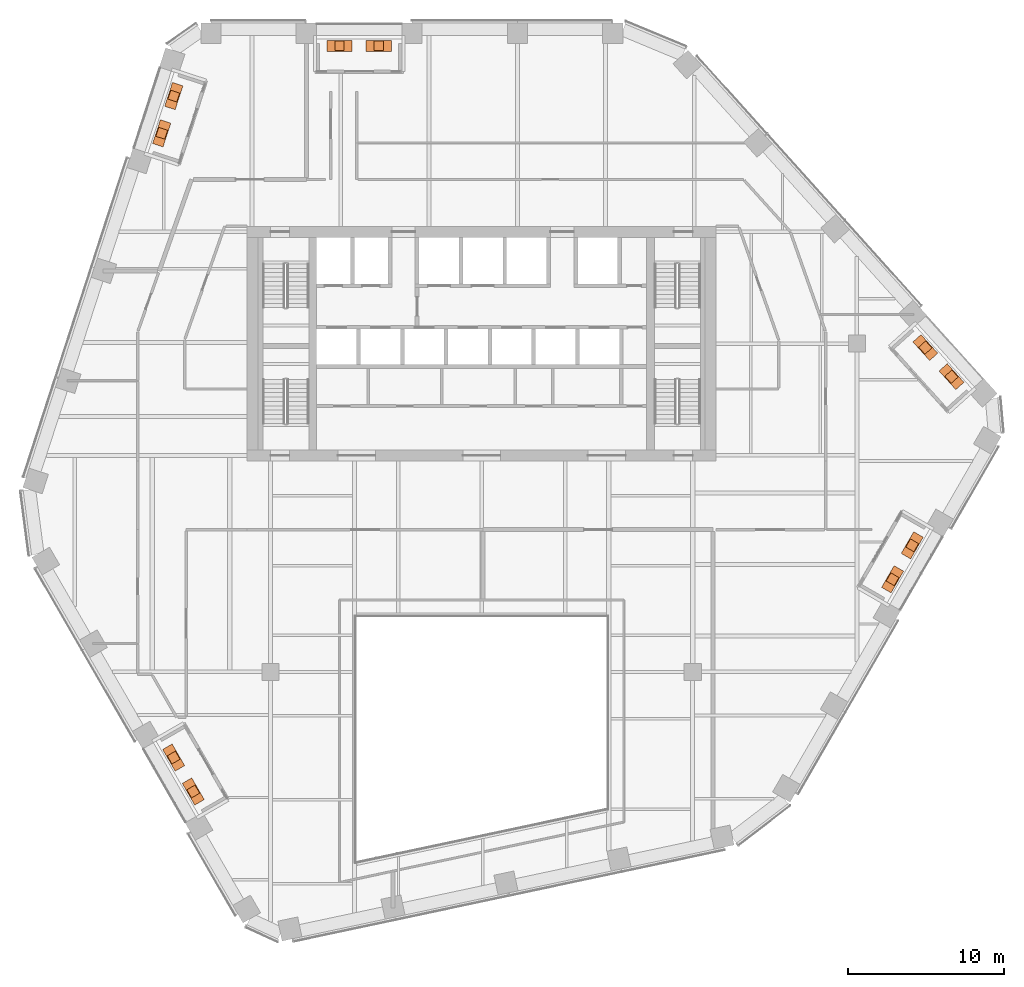
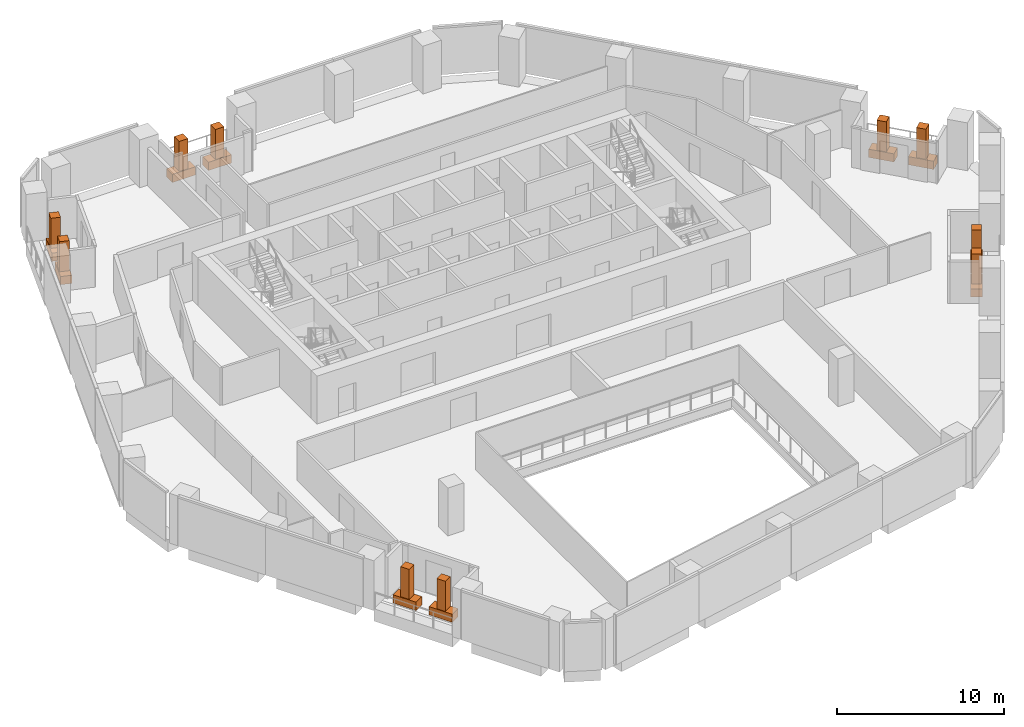
# One storey, part 26 of 26: 10 geographic elements, 10 proxies.
"""IFC4 building model written with IfcOpenShell, lengths in metres."""

from ifc_helpers import new_model, si_unit, direction, frame, origin, origin_2d, place, context, subcontext, project, spatial, rectangle, extrude, material, type_object, element, save


model = new_model("IFC4")

# Units and contexts
model_context = context("Model", 3, precision=1e-05, world=origin(), true_north=direction((0.0, 1.0)))
body_context = subcontext(model_context, "Body", "Model", "MODEL_VIEW")
ifc_project = project(units=[si_unit("LENGTHUNIT", "METRE"), si_unit("AREAUNIT", "SQUARE_METRE"), si_unit("VOLUMEUNIT", "CUBIC_METRE"), si_unit("PLANEANGLEUNIT", "RADIAN"), si_unit("MASSUNIT", "GRAM", prefix="KILO")], contexts=[model_context])

# Site, building, storey
site_placement = place(None, origin())
site = spatial("IfcSite", under=ifc_project, at=site_placement, CompositionType="ELEMENT")
building_placement = place(site_placement, origin())
building = spatial("IfcBuilding", under=site, at=building_placement, Name="Isthmus Gate Tower", CompositionType="ELEMENT")
storey_placement = place(building_placement, frame((0.0, 0.0, 189.050048828125)))
storey = spatial("IfcBuildingStorey", under=building, at=storey_placement, Name="L47", CompositionType="ELEMENT", Elevation=189.050048828125)

# Geographic elements
ifc_material_1 = material(Name="Plant material, broadleaf tree")
geographic_element_type = type_object("IfcGeographicElementType", Name="BROADLEAF TREE 2200 HIGH", PredefinedType="USERDEFINED", material=ifc_material_1)
for number, where, z_axis, x_axis, name in (
    (1, (-6.583251953125, 26.550048828125, 0.60009765625), (0.0, 0.0, 1.0), (-1.0, 0.0, 0.0), "TREE"),
    (2, (-9.09033203125, 26.550048828125, 0.60009765625), (0.0, 0.0, 1.0), (-1.0, 0.0, 0.0), "TREE"),
    (3, (-19.69140625, 23.33349609375, 0.60009765625), (0.0, 0.0, 1.0), (-0.309016994375, -0.951056516295, 0.0), "TREE"),
    (4, (-20.46484375, 20.953125, 0.60009765625), (0.0, 0.0, 1.0), (-0.309016994375, -0.951056516295, 0.0), "TREE"),
    (5, (-19.701416015625, -18.976318359375, 0.60009765625), (0.0, 0.0, 1.0), (0.5, -0.866025403784, 0.0), "TREE"),
    (6, (-18.44775390625, -21.1474609375, 0.60009765625), (0.0, 0.0, 1.0), (0.5, -0.866025403784, 0.0), "TREE"),
    (7, (26.28466796875, -7.57373046875, 0.60009765625), (0.0, 0.0, 1.0), (0.5, 0.866025403784, 0.0), "TREE"),
    (8, (27.5380859375, -5.402587890625, 0.60009765625), (0.0, 0.0, 1.0), (0.5, 0.866025403784, 0.0), "TREE"),
    (9, (30.052978515625, 5.38671875, 0.60009765625), (0.0, 0.0, 1.0), (-0.669130606359, 0.743144825477, 0.0), "TREE"),
    (10, (28.37841796875, 7.24658203125, 0.60009765625), (0.0, 0.0, 1.0), (-0.669130606359, 0.743144825477, 0.0), "TREE"),
):
    element("IfcGeographicElement", number, at=place(storey_placement, frame(where, z_axis=z_axis, x_axis=x_axis)), inside=storey, type_object=geographic_element_type, Name=name, ObjectType="TREE", PredefinedType="USERDEFINED", context=body_context, shape_type="SweptSolid", body=[
        extrude(rectangle(XDim=0.60009765625, YDim=0.60009765625, at=origin_2d()), origin(), (0.0, 0.0, 1.0), 2.199951171875),
    ])

# Proxies
ifc_material_2 = material(Name="Concrete f'c 40 MPa", Category="concrete")
building_element_proxy_type = type_object("IfcBuildingElementProxyType", Name="CONCRETE PLANTER 1600 X 700 X 600", PredefinedType="USERDEFINED", material=ifc_material_2)
for number, where, z_axis, x_axis, name in (
    (11, (-6.583251953125, 26.550048828125, 0.0), (0.0, 0.0, 1.0), (-1.0, 0.0, 0.0), "PLANTER"),
    (12, (-9.09033203125, 26.550048828125, 0.0), (0.0, 0.0, 1.0), (-1.0, 0.0, 0.0), "PLANTER"),
    (13, (-19.69140625, 23.33349609375, 0.0), (0.0, 0.0, 1.0), (-0.309016994375, -0.951056516295, 0.0), "PLANTER"),
    (14, (-20.46484375, 20.953125, 0.0), (0.0, 0.0, 1.0), (-0.309016994375, -0.951056516295, 0.0), "PLANTER"),
    (15, (-19.701416015625, -18.976318359375, 0.0), (0.0, 0.0, 1.0), (0.5, -0.866025403784, 0.0), "PLANTER"),
    (16, (-18.44775390625, -21.1474609375, 0.0), (0.0, 0.0, 1.0), (0.5, -0.866025403784, 0.0), "PLANTER"),
    (17, (26.28466796875, -7.57373046875, 0.0), (0.0, 0.0, 1.0), (0.5, 0.866025403784, 0.0), "PLANTER"),
    (18, (27.5380859375, -5.402587890625, 0.0), (0.0, 0.0, 1.0), (0.5, 0.866025403784, 0.0), "PLANTER"),
    (19, (30.052978515625, 5.38671875, 0.0), (0.0, 0.0, 1.0), (-0.669130606359, 0.743144825477, 0.0), "PLANTER"),
    (20, (28.37841796875, 7.24658203125, 0.0), (0.0, 0.0, 1.0), (-0.669130606359, 0.743144825477, 0.0), "PLANTER"),
):
    element("IfcBuildingElementProxy", number, at=place(storey_placement, frame(where, z_axis=z_axis, x_axis=x_axis)), inside=storey, type_object=building_element_proxy_type, Name=name, ObjectType="PLANTER", PredefinedType="USERDEFINED", context=body_context, shape_type="SweptSolid", body=[
        extrude(rectangle(XDim=1.60009765625, YDim=0.699951171875, at=origin_2d()), origin(), (0.0, 0.0, 1.0), 0.60009765625),
    ])

save(model, "model.ifc")
